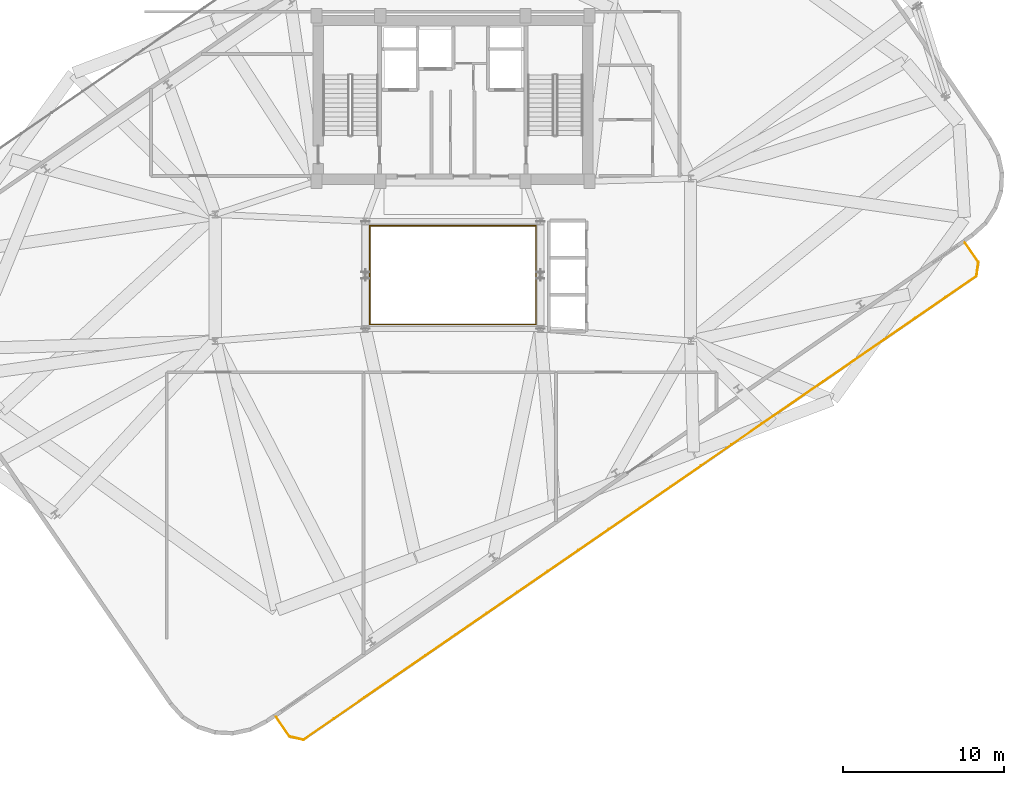
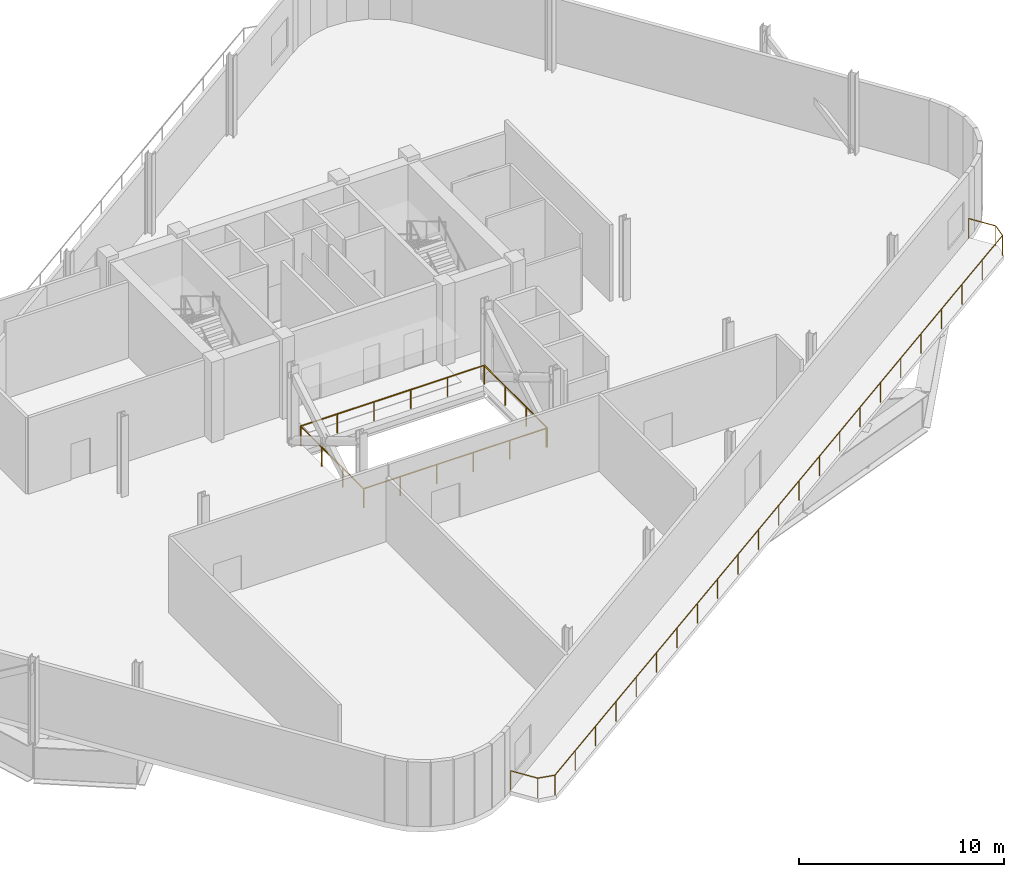
# One storey, part 10 of 13: 3 railings.
"""IFC4 building model written with IfcOpenShell, lengths in metres."""

from ifc_helpers import new_model, si_unit, direction, frame, origin, origin_2d, place, context, subcontext, project, spatial, circle, extrude, material, type_object, element, save


model = new_model("IFC4")

# Units and contexts
model_context = context("Model", 3, precision=1e-05, world=origin(), true_north=direction((0.0, 1.0)))
body_context = subcontext(model_context, "Body", "Model", "MODEL_VIEW")
ifc_project = project(units=[si_unit("LENGTHUNIT", "METRE"), si_unit("AREAUNIT", "SQUARE_METRE"), si_unit("VOLUMEUNIT", "CUBIC_METRE"), si_unit("PLANEANGLEUNIT", "RADIAN"), si_unit("MASSUNIT", "GRAM", prefix="KILO")], contexts=[model_context])

# Site, building, storey
site_placement = place(None, origin())
site = spatial("IfcSite", under=ifc_project, at=site_placement, CompositionType="ELEMENT")
building_placement = place(site_placement, origin())
building = spatial("IfcBuilding", under=site, at=building_placement, Name="Varnelok Gate Tower", CompositionType="ELEMENT")
storey_placement = place(building_placement, frame((0.0, 0.0, 253.39990234375)))
storey = spatial("IfcBuildingStorey", under=building, at=storey_placement, Name="L65", CompositionType="ELEMENT", Elevation=253.39990234375)

# Railings
ifc_material_1 = material(Name="Tempered Laminated Balustrade Glass", Category="glass")
railing_type_1 = type_object("IfcRailingType", Name="RL-ATR-GUARD1150", PredefinedType="GUARDRAIL", material=ifc_material_1)
railing_1_placement = place(storey_placement, frame((34.02001953125, 25.929931640625, 0.0)))
element("IfcRailing", 1, at=railing_1_placement, inside=storey, type_object=railing_type_1, Name="L65 Internal Atrium South-West Guardrail", PredefinedType="GUARDRAIL", context=body_context, shape_type="SweptSolid", body=[
    extrude(circle(Radius=0.02392578125, at=origin_2d()), frame((0.0, 0.0, 1.1259765625), z_axis=(0.0, -1.0, 0.0), x_axis=(1.0, 0.0, 0.0)), (0.0, 0.0, 1.0), 6.10986328125),
    extrude(circle(Radius=0.02392578125, at=origin_2d()), frame((0.0, -6.10986328125, 1.1259765625), z_axis=(1.0, 0.0, 0.0), x_axis=(0.0, 1.0, 0.0)), (0.0, 0.0, 1.0), 10.31005859375),
    extrude(circle(Radius=0.02099609375, at=origin_2d()), origin(), (0.0, 0.0, 1.0), 1.101806640625),
    extrude(circle(Radius=0.02099609375, at=origin_2d()), frame((0.0, -2.03662109375, 0.0)), (0.0, 0.0, 1.0), 1.101806640625),
    extrude(circle(Radius=0.02099609375, at=origin_2d()), frame((0.0, -4.0732421875, 0.0)), (0.0, 0.0, 1.0), 1.101806640625),
    extrude(circle(Radius=0.02099609375, at=origin_2d()), frame((0.0, -6.10986328125, 0.0)), (0.0, 0.0, 1.0), 1.101806640625),
    extrude(circle(Radius=0.02099609375, at=origin_2d()), frame((2.06201171875, -6.10986328125, 0.0)), (0.0, 0.0, 1.0), 1.101806640625),
    extrude(circle(Radius=0.02099609375, at=origin_2d()), frame((4.1240234375, -6.10986328125, 0.0)), (0.0, 0.0, 1.0), 1.101806640625),
    extrude(circle(Radius=0.02099609375, at=origin_2d()), frame((6.18603515625, -6.10986328125, 0.0)), (0.0, 0.0, 1.0), 1.101806640625),
    extrude(circle(Radius=0.02099609375, at=origin_2d()), frame((8.248046875, -6.10986328125, 0.0)), (0.0, 0.0, 1.0), 1.101806640625),
    extrude(circle(Radius=0.02099609375, at=origin_2d()), frame((10.31005859375, -6.10986328125, 0.0)), (0.0, 0.0, 1.0), 1.101806640625),
])
railing_2_placement = place(storey_placement, frame((44.3798828125, 19.820068359375, 0.0)))
element("IfcRailing", 2, at=railing_2_placement, inside=storey, type_object=railing_type_1, Name="L65 Internal Atrium North-East Guardrail", PredefinedType="GUARDRAIL", context=body_context, shape_type="SweptSolid", body=[
    extrude(circle(Radius=0.02392578125, at=origin_2d()), frame((0.0, 0.0, 1.1259765625), z_axis=(0.0, 1.0, 0.0), x_axis=(-1.0, 0.0, 0.0)), (0.0, 0.0, 1.0), 6.159912109375),
    extrude(circle(Radius=0.02392578125, at=origin_2d()), frame((0.0, 6.159912109375, 1.1259765625), z_axis=(-1.0, 0.0, 0.0), x_axis=(0.0, -1.0, 0.0)), (0.0, 0.0, 1.0), 10.35986328125),
    extrude(circle(Radius=0.02099609375, at=origin_2d()), origin(), (0.0, 0.0, 1.0), 1.101806640625),
    extrude(circle(Radius=0.02099609375, at=origin_2d()), frame((0.0, 2.05322265625, 0.0)), (0.0, 0.0, 1.0), 1.101806640625),
    extrude(circle(Radius=0.02099609375, at=origin_2d()), frame((0.0, 4.106689453125, 0.0)), (0.0, 0.0, 1.0), 1.101806640625),
    extrude(circle(Radius=0.02099609375, at=origin_2d()), frame((0.0, 6.159912109375, 0.0)), (0.0, 0.0, 1.0), 1.101806640625),
    extrude(circle(Radius=0.02099609375, at=origin_2d()), frame((-2.072021484375, 6.159912109375, 0.0)), (0.0, 0.0, 1.0), 1.101806640625),
    extrude(circle(Radius=0.02099609375, at=origin_2d()), frame((-4.14404296875, 6.159912109375, 0.0)), (0.0, 0.0, 1.0), 1.101806640625),
    extrude(circle(Radius=0.02099609375, at=origin_2d()), frame((-6.2158203125, 6.159912109375, 0.0)), (0.0, 0.0, 1.0), 1.101806640625),
    extrude(circle(Radius=0.02099609375, at=origin_2d()), frame((-8.287841796875, 6.159912109375, 0.0)), (0.0, 0.0, 1.0), 1.101806640625),
    extrude(circle(Radius=0.02099609375, at=origin_2d()), frame((-10.35986328125, 6.159912109375, 0.0)), (0.0, 0.0, 1.0), 1.101806640625),
])
ifc_material_2 = material(Name="Anodized Aluminum Alloy 6063-T6", Category="aluminium")
railing_type_2 = type_object("IfcRailingType", Name="RL-SKYG-1200", PredefinedType="GUARDRAIL", material=ifc_material_2)
railing_3_placement = place(storey_placement, frame((28.193115234375, -4.624755859375, 0.0)))
element("IfcRailing", 3, at=railing_3_placement, inside=storey, type_object=railing_type_2, Name="L65 South Terrace Balustrade 1", PredefinedType="GUARDRAIL", context=body_context, shape_type="SweptSolid", body=[
    extrude(circle(Radius=0.02392578125, at=origin_2d()), frame((0.0, 0.0, 1.17578125), z_axis=(0.56724766005, -0.823547261648, 0.0), x_axis=(0.823547261648, 0.56724766005, 0.0)), (0.0, 0.0, 1.0), 1.4697265625),
    extrude(circle(Radius=0.02392578125, at=origin_2d()), frame((0.833740234375, -1.21044921875, 1.17578125), z_axis=(0.973526462254, -0.228574336467, 0.0), x_axis=(0.228574336467, 0.973526462254, 0.0)), (0.0, 0.0, 1.0), 0.8779296875),
    extrude(circle(Radius=0.02392578125, at=origin_2d()), frame((1.6884765625, -1.4111328125, 1.17578125), z_axis=(0.823531751331, 0.567270177736, 0.0), x_axis=(-0.567270177736, 0.823531751331, 0.0)), (0.0, 0.0, 1.0), 50.89990234375),
    extrude(circle(Radius=0.02392578125, at=origin_2d()), frame((43.606201171875, 27.462890625, 1.17578125), z_axis=(0.133511834152, 0.991047218926, 0.0), x_axis=(-0.991047218926, 0.133511834152, 0.0)), (0.0, 0.0, 1.0), 0.877685546875),
    extrude(circle(Radius=0.02392578125, at=origin_2d()), frame((43.723388671875, 28.332763671875, 1.17578125), z_axis=(-0.567282711967, 0.823523117285, 0.0), x_axis=(-0.823523117285, -0.567282711967, 0.0)), (0.0, 0.0, 1.0), 1.47021484375),
    extrude(circle(Radius=0.02099609375, at=origin_2d()), origin(), (0.0, 0.0, 1.0), 1.15185546875),
    extrude(circle(Radius=0.02099609375, at=origin_2d()), frame((0.833740234375, -1.21044921875, 0.0)), (0.0, 0.0, 1.0), 1.15185546875),
    extrude(circle(Radius=0.02099609375, at=origin_2d()), frame((1.6884765625, -1.4111328125, 0.0)), (0.0, 0.0, 1.0), 1.15185546875),
    extrude(circle(Radius=0.02099609375, at=origin_2d()), frame((3.59375, -0.0986328125, 0.0)), (0.0, 0.0, 1.0), 1.15185546875),
    extrude(circle(Radius=0.02099609375, at=origin_2d()), frame((5.499267578125, 1.2138671875, 0.0)), (0.0, 0.0, 1.0), 1.15185546875),
    extrude(circle(Radius=0.02099609375, at=origin_2d()), frame((7.404541015625, 2.526123046875, 0.0)), (0.0, 0.0, 1.0), 1.15185546875),
    extrude(circle(Radius=0.02099609375, at=origin_2d()), frame((9.309814453125, 3.838623046875, 0.0)), (0.0, 0.0, 1.0), 1.15185546875),
    extrude(circle(Radius=0.02099609375, at=origin_2d()), frame((11.21533203125, 5.151123046875, 0.0)), (0.0, 0.0, 1.0), 1.15185546875),
    extrude(circle(Radius=0.02099609375, at=origin_2d()), frame((13.12060546875, 6.463623046875, 0.0)), (0.0, 0.0, 1.0), 1.15185546875),
    extrude(circle(Radius=0.02099609375, at=origin_2d()), frame((15.02587890625, 7.776123046875, 0.0)), (0.0, 0.0, 1.0), 1.15185546875),
    extrude(circle(Radius=0.02099609375, at=origin_2d()), frame((16.931396484375, 9.088623046875, 0.0)), (0.0, 0.0, 1.0), 1.15185546875),
    extrude(circle(Radius=0.02099609375, at=origin_2d()), frame((18.836669921875, 10.40087890625, 0.0)), (0.0, 0.0, 1.0), 1.15185546875),
    extrude(circle(Radius=0.02099609375, at=origin_2d()), frame((20.741943359375, 11.71337890625, 0.0)), (0.0, 0.0, 1.0), 1.15185546875),
    extrude(circle(Radius=0.02099609375, at=origin_2d()), frame((22.6474609375, 13.02587890625, 0.0)), (0.0, 0.0, 1.0), 1.15185546875),
    extrude(circle(Radius=0.02099609375, at=origin_2d()), frame((24.552734375, 14.33837890625, 0.0)), (0.0, 0.0, 1.0), 1.15185546875),
    extrude(circle(Radius=0.02099609375, at=origin_2d()), frame((26.4580078125, 15.65087890625, 0.0)), (0.0, 0.0, 1.0), 1.15185546875),
    extrude(circle(Radius=0.02099609375, at=origin_2d()), frame((28.36328125, 16.963134765625, 0.0)), (0.0, 0.0, 1.0), 1.15185546875),
    extrude(circle(Radius=0.02099609375, at=origin_2d()), frame((30.268798828125, 18.275634765625, 0.0)), (0.0, 0.0, 1.0), 1.15185546875),
    extrude(circle(Radius=0.02099609375, at=origin_2d()), frame((32.174072265625, 19.588134765625, 0.0)), (0.0, 0.0, 1.0), 1.15185546875),
    extrude(circle(Radius=0.02099609375, at=origin_2d()), frame((34.079345703125, 20.900634765625, 0.0)), (0.0, 0.0, 1.0), 1.15185546875),
    extrude(circle(Radius=0.02099609375, at=origin_2d()), frame((35.98486328125, 22.213134765625, 0.0)), (0.0, 0.0, 1.0), 1.15185546875),
    extrude(circle(Radius=0.02099609375, at=origin_2d()), frame((37.89013671875, 23.525634765625, 0.0)), (0.0, 0.0, 1.0), 1.15185546875),
    extrude(circle(Radius=0.02099609375, at=origin_2d()), frame((39.79541015625, 24.837890625, 0.0)), (0.0, 0.0, 1.0), 1.15185546875),
    extrude(circle(Radius=0.02099609375, at=origin_2d()), frame((41.700927734375, 26.150390625, 0.0)), (0.0, 0.0, 1.0), 1.15185546875),
    extrude(circle(Radius=0.02099609375, at=origin_2d()), frame((43.606201171875, 27.462890625, 0.0)), (0.0, 0.0, 1.0), 1.15185546875),
    extrude(circle(Radius=0.02099609375, at=origin_2d()), frame((43.723388671875, 28.332763671875, 0.0)), (0.0, 0.0, 1.0), 1.15185546875),
    extrude(circle(Radius=0.02099609375, at=origin_2d()), frame((42.889404296875, 29.54345703125, 0.0)), (0.0, 0.0, 1.0), 1.15185546875),
])

save(model, "model.ifc")
